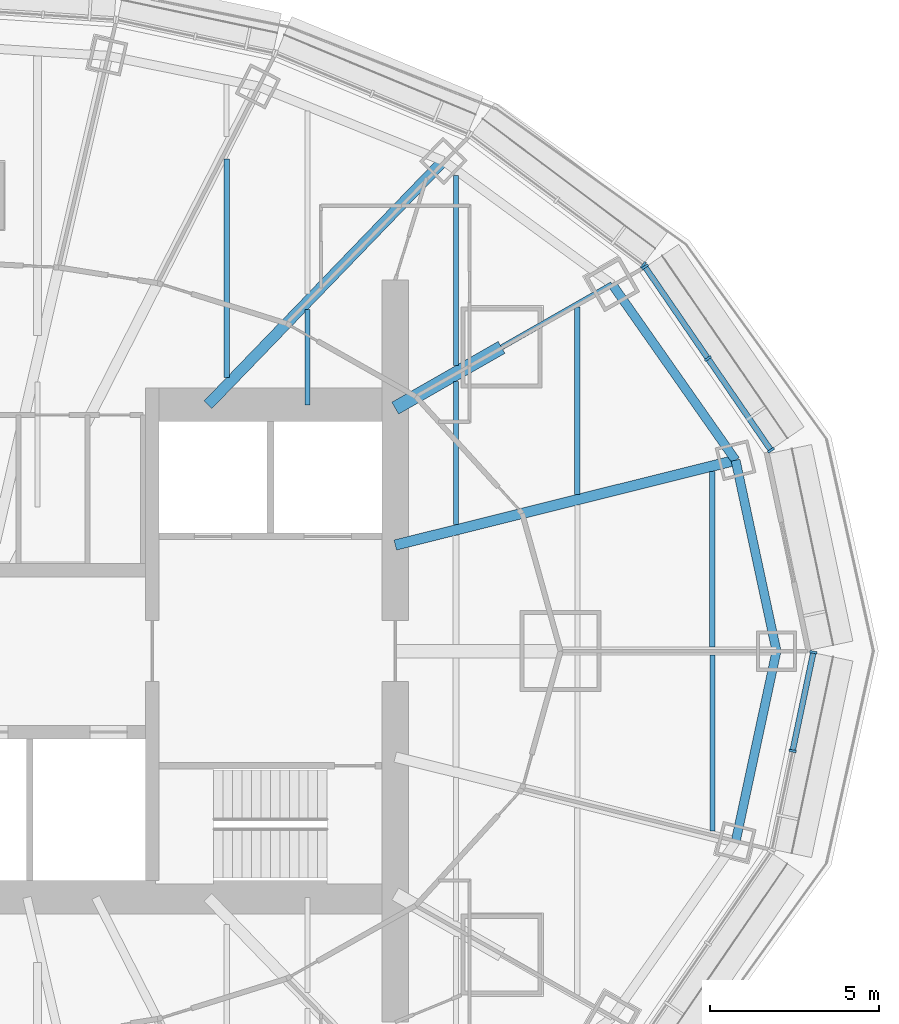
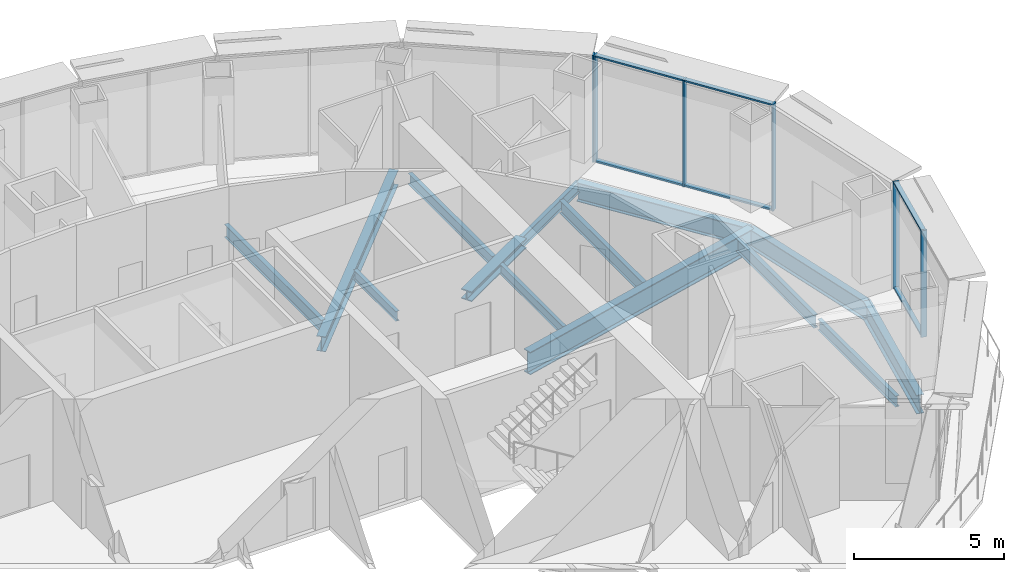
# One storey, part 5 of 17: 14 beams, 12 members, 3 elements without a shape of their own.
"""IFC4 building model written with IfcOpenShell, lengths in metres."""

from ifc_helpers import new_model, si_unit, direction, frame, origin, origin_2d, place, context, subcontext, project, spatial, rectangle, i_section, extrude, material, material_profile, profile_set, type_object, element, aggregate, save


model = new_model("IFC4")

# Units and contexts
model_context = context("Model", 3, precision=1e-05, world=origin(), true_north=direction((0.0, 1.0)))
body_context = subcontext(model_context, "Body", "Model", "MODEL_VIEW")
ifc_project = project(units=[si_unit("LENGTHUNIT", "METRE"), si_unit("AREAUNIT", "SQUARE_METRE"), si_unit("VOLUMEUNIT", "CUBIC_METRE"), si_unit("PLANEANGLEUNIT", "RADIAN"), si_unit("MASSUNIT", "GRAM", prefix="KILO")], contexts=[model_context])

# Site, building, storey
site_placement = place(None, origin())
site = spatial("IfcSite", under=ifc_project, at=site_placement, CompositionType="ELEMENT")
building_placement = place(site_placement, origin())
building = spatial("IfcBuilding", under=site, at=building_placement, Name="Lantaw Convention Tower", CompositionType="ELEMENT")
storey_placement = place(building_placement, frame((0.0, 0.0, 270.39990234375)))
storey = spatial("IfcBuildingStorey", under=building, at=storey_placement, Name="L63", CompositionType="ELEMENT", Elevation=270.39990234375)

# Beams
ifc_material_1 = material(Name="Steel ASTM A992", Category="steel")
ifc_material_profile_1 = material_profile(ifc_material_1, i_section(OverallWidth=0.2666015625, OverallDepth=0.76953125, WebThickness=0.015625, FlangeThickness=0.025390625, FilletRadius=0.0126953125, at=origin_2d()), Name="W30X132")
ifc_profile_set_1 = profile_set([ifc_material_profile_1], Name="Steel ASTM A992")
beam_type_1 = type_object("IfcBeamType", Name="Beam E W30X132", PredefinedType="SPANDREL", material=ifc_profile_set_1)
beam_1_placement = place(storey_placement, frame((23.89990234375, 0.0, -0.53466796875), z_axis=(-0.209658780372, 0.977774614015, 0.0), x_axis=(-0.977774614015, -0.209658780372, 0.0)))
element("IfcBeam", 1, at=beam_1_placement, inside=storey, type_object=beam_type_1, Name="Edge beam 1", PredefinedType="SPANDREL", context=body_context, shape_type="SweptSolid", body=[
    extrude(i_section(OverallWidth=0.2666015625, OverallDepth=0.76953125, WebThickness=0.015625, FlangeThickness=0.025390625, FilletRadius=0.0126953125, at=origin_2d()), origin(), (0.0, 0.0, 1.0), 5.78515625),
])
beam_2_placement = place(storey_placement, frame((22.68701171875, 5.656494140625, -0.53466796875), z_axis=(-0.574400527612, 0.81857439117, 0.0), x_axis=(-0.81857439117, -0.574400527612, 0.0)))
element("IfcBeam", 2, at=beam_2_placement, inside=storey, type_object=beam_type_1, Name="Edge beam 2", PredefinedType="SPANDREL", context=body_context, shape_type="SweptSolid", body=[
    extrude(i_section(OverallWidth=0.2666015625, OverallDepth=0.76953125, WebThickness=0.015625, FlangeThickness=0.025390625, FilletRadius=0.0126953125, at=origin_2d()), origin(), (0.0, 0.0, 1.0), 6.3720703125),
])
beam_3_placement = place(storey_placement, frame((22.68701171875, -5.656494140625, -0.53466796875), z_axis=(0.209658780372, 0.977774614015, 0.0), x_axis=(-0.977774614015, 0.209658780372, 0.0)))
element("IfcBeam", 3, at=beam_3_placement, inside=storey, type_object=beam_type_1, Name="Edge beam 24", PredefinedType="SPANDREL", context=body_context, shape_type="SweptSolid", body=[
    extrude(i_section(OverallWidth=0.2666015625, OverallDepth=0.76953125, WebThickness=0.015625, FlangeThickness=0.025390625, FilletRadius=0.0126953125, at=origin_2d()), origin(), (0.0, 0.0, 1.0), 5.78515625),
])
ifc_material_profile_2 = material_profile(ifc_material_1, i_section(OverallWidth=0.15234375, OverallDepth=0.449462890625, WebThickness=0.007568359375, FlangeThickness=0.0107421875, FilletRadius=0.01025390625, at=origin_2d()), Name="W18X35")
ifc_profile_set_2 = profile_set([ifc_material_profile_2], Name="Steel ASTM A992")
beam_type_2 = type_object("IfcBeamType", Name="Beam G W18X35", PredefinedType="BEAM", material=ifc_profile_set_2)
beam_4_placement = place(storey_placement, frame((15.75, 9.0, -0.374755859375), z_axis=(0.868235180478, 0.496152870978, 0.0), x_axis=(-0.496152870978, 0.868235180478, 0.0)))
element("IfcBeam", 4, at=beam_4_placement, inside=storey, type_object=beam_type_2, Name="Floor girder on ray 3", PredefinedType="BEAM", context=body_context, shape_type="SweptSolid", body=[
    extrude(i_section(OverallWidth=0.15234375, OverallDepth=0.449462890625, WebThickness=0.007568359375, FlangeThickness=0.0107421875, FilletRadius=0.01025390625, at=origin_2d()), origin(), (0.0, 0.0, 1.0), 3.774169921875),
])
ifc_material_profile_3 = material_profile(ifc_material_1, i_section(OverallWidth=0.3251953125, OverallDepth=0.612060546875, WebThickness=0.0126953125, FlangeThickness=0.01904296875, FilletRadius=0.0126953125, at=origin_2d()), Name="W24X104")
ifc_profile_set_3 = profile_set([ifc_material_profile_3], Name="Steel ASTM A992")
beam_type_3 = type_object("IfcBeamType", Name="Beam G W24X104", PredefinedType="BEAM", material=ifc_profile_set_3)
beam_5_placement = place(storey_placement, frame((7.049560546875, 7.300048828125, -0.4560546875), z_axis=(0.694652631285, 0.71934534255, 0.0), x_axis=(-0.71934534255, 0.694652631285, 0.0)))
element("IfcBeam", 5, at=beam_5_placement, inside=storey, type_object=beam_type_3, Name="Floor girder on ray 4", PredefinedType="BEAM", context=body_context, shape_type="SweptSolid", body=[
    extrude(i_section(OverallWidth=0.3251953125, OverallDepth=0.612060546875, WebThickness=0.0126953125, FlangeThickness=0.01904296875, FilletRadius=0.0126953125, at=origin_2d()), origin(), (0.0, 0.0, 1.0), 10.04541015625),
])
ifc_material_profile_4 = material_profile(ifc_material_1, i_section(OverallWidth=0.307373046875, OverallDepth=0.922119140625, WebThickness=0.018310546875, FlangeThickness=0.030029296875, FilletRadius=0.0126953125, at=origin_2d()), Name="W36X182")
ifc_profile_set_4 = profile_set([ifc_material_profile_4], Name="Steel ASTM A992")
beam_type_4 = type_object("IfcBeamType", Name="Beam G W36X182", PredefinedType="BEAM", material=ifc_profile_set_4)
beam_6_placement = place(storey_placement, frame((12.60009765625, 3.1416015625, -0.61083984375), z_axis=(0.97029702597, 0.241916682751, 0.0), x_axis=(-0.241916682751, 0.97029702597, 0.0)))
element("IfcBeam", 6, at=beam_6_placement, inside=storey, type_object=beam_type_4, Name="Floor girder on ray 2", PredefinedType="BEAM", context=body_context, shape_type="SweptSolid", body=[
    extrude(i_section(OverallWidth=0.307373046875, OverallDepth=0.922119140625, WebThickness=0.018310546875, FlangeThickness=0.030029296875, FilletRadius=0.0126953125, at=origin_2d()), origin(), (0.0, 0.0, 1.0), 10.395751953125),
])
ifc_material_profile_5 = material_profile(ifc_material_1, i_section(OverallWidth=0.40380859375, OverallDepth=0.406494140625, WebThickness=0.027099609375, FlangeThickness=0.043701171875, FilletRadius=0.01513671875, at=origin_2d()), Name="W14X233")
ifc_profile_set_5 = profile_set([ifc_material_profile_5], Name="Steel ASTM A992")
beam_type_5 = type_object("IfcBeamType", Name="Beam GM W14X233", PredefinedType="BEAM", material=ifc_profile_set_5)
beam_7_placement = place(storey_placement, frame((12.60009765625, 7.199951171875, -0.35302734375), z_axis=(0.868230718294, 0.496160679428, 0.0), x_axis=(-0.496160679428, 0.868230718294, 0.0)))
element("IfcBeam", 7, at=beam_7_placement, inside=storey, type_object=beam_type_5, Name="Core link beam on ray 3", PredefinedType="BEAM", context=body_context, shape_type="SweptSolid", body=[
    extrude(i_section(OverallWidth=0.40380859375, OverallDepth=0.406494140625, WebThickness=0.027099609375, FlangeThickness=0.043701171875, FilletRadius=0.01513671875, at=origin_2d()), origin(), (0.0, 0.0, 1.0), 3.6279296875),
])
ifc_material_profile_6 = material_profile(ifc_material_1, i_section(OverallWidth=0.140380859375, OverallDepth=0.40380859375, WebThickness=0.007080078125, FlangeThickness=0.01123046875, FilletRadius=0.01025390625, at=origin_2d()), Name="W16X31")
ifc_profile_set_6 = profile_set([ifc_material_profile_6], Name="Steel ASTM A992")
beam_type_6 = type_object("IfcBeamType", Name="Beam J W16X31", PredefinedType="JOIST", material=ifc_profile_set_6)
beam_8_placement = place(storey_placement, frame((10.0, 7.300048828125, -0.351806640625), z_axis=(0.0, 1.0, 0.0), x_axis=(-1.0, 0.0, 0.0)))
element("IfcBeam", 8, at=beam_8_placement, inside=storey, type_object=beam_type_6, Name="Floor joist", PredefinedType="JOIST", context=body_context, shape_type="SweptSolid", body=[
    extrude(i_section(OverallWidth=0.140380859375, OverallDepth=0.40380859375, WebThickness=0.007080078125, FlangeThickness=0.01123046875, FilletRadius=0.01025390625, at=origin_2d()), origin(), (0.0, 0.0, 1.0), 2.8212890625),
])
beam_9_placement = place(storey_placement, frame((14.39990234375, 3.748779296875, -0.351806640625), z_axis=(0.0, 1.0, 0.0), x_axis=(-1.0, 0.0, 0.0)))
element("IfcBeam", 9, at=beam_9_placement, inside=storey, type_object=beam_type_6, Name="Floor joist", PredefinedType="JOIST", context=body_context, shape_type="SweptSolid", body=[
    extrude(i_section(OverallWidth=0.140380859375, OverallDepth=0.40380859375, WebThickness=0.007080078125, FlangeThickness=0.01123046875, FilletRadius=0.01025390625, at=origin_2d()), origin(), (0.0, 0.0, 1.0), 4.247314453125),
])
ifc_material_profile_7 = material_profile(ifc_material_1, i_section(OverallWidth=0.15234375, OverallDepth=0.449462890625, WebThickness=0.007568359375, FlangeThickness=0.0107421875, FilletRadius=0.01025390625, at=origin_2d()), Name="W18X35")
ifc_profile_set_7 = profile_set([ifc_material_profile_7], Name="Steel ASTM A992")
beam_type_7 = type_object("IfcBeamType", Name="Beam J W18X35", PredefinedType="JOIST", material=ifc_profile_set_7)
beam_10_placement = place(storey_placement, frame((14.39990234375, 8.461181640625, -0.374755859375), z_axis=(0.0, 1.0, 0.0), x_axis=(-1.0, 0.0, 0.0)))
element("IfcBeam", 10, at=beam_10_placement, inside=storey, type_object=beam_type_7, Name="Floor joist", PredefinedType="JOIST", context=body_context, shape_type="SweptSolid", body=[
    extrude(i_section(OverallWidth=0.15234375, OverallDepth=0.449462890625, WebThickness=0.007568359375, FlangeThickness=0.0107421875, FilletRadius=0.01025390625, at=origin_2d()), origin(), (0.0, 0.0, 1.0), 5.627685546875),
])
beam_11_placement = place(storey_placement, frame((22.0, -5.326904296875, -0.374755859375), z_axis=(0.0, 1.0, 0.0), x_axis=(-1.0, 0.0, 0.0)))
element("IfcBeam", 11, at=beam_11_placement, inside=storey, type_object=beam_type_7, Name="Floor joist", PredefinedType="JOIST", context=body_context, shape_type="SweptSolid", body=[
    extrude(i_section(OverallWidth=0.15234375, OverallDepth=0.449462890625, WebThickness=0.007568359375, FlangeThickness=0.0107421875, FilletRadius=0.01025390625, at=origin_2d()), origin(), (0.0, 0.0, 1.0), 5.21240234375),
])
ifc_material_profile_8 = material_profile(ifc_material_1, i_section(OverallWidth=0.1650390625, OverallDepth=0.52587890625, WebThickness=0.0087890625, FlangeThickness=0.011474609375, FilletRadius=0.0126953125, at=origin_2d()), Name="W21X44")
ifc_profile_set_8 = profile_set([ifc_material_profile_8], Name="Steel ASTM A992")
beam_type_8 = type_object("IfcBeamType", Name="Beam J W21X44", PredefinedType="JOIST", material=ifc_profile_set_8)
beam_12_placement = place(storey_placement, frame((7.60009765625, 8.10400390625, -0.412841796875), z_axis=(0.0, 1.0, 0.0), x_axis=(-1.0, 0.0, 0.0)))
element("IfcBeam", 12, at=beam_12_placement, inside=storey, type_object=beam_type_8, Name="Floor joist", PredefinedType="JOIST", context=body_context, shape_type="SweptSolid", body=[
    extrude(i_section(OverallWidth=0.1650390625, OverallDepth=0.52587890625, WebThickness=0.0087890625, FlangeThickness=0.011474609375, FilletRadius=0.0126953125, at=origin_2d()), origin(), (0.0, 0.0, 1.0), 6.473388671875),
])
beam_13_placement = place(storey_placement, frame((22.0, 0.114501953125, -0.412841796875), z_axis=(0.0, 1.0, 0.0), x_axis=(-1.0, 0.0, 0.0)))
element("IfcBeam", 13, at=beam_13_placement, inside=storey, type_object=beam_type_8, Name="Floor joist", PredefinedType="JOIST", context=body_context, shape_type="SweptSolid", body=[
    extrude(i_section(OverallWidth=0.1650390625, OverallDepth=0.52587890625, WebThickness=0.0087890625, FlangeThickness=0.011474609375, FilletRadius=0.0126953125, at=origin_2d()), origin(), (0.0, 0.0, 1.0), 5.21240234375),
])
ifc_material_profile_9 = material_profile(ifc_material_1, i_section(OverallWidth=0.165771484375, OverallDepth=0.5283203125, WebThickness=0.009765625, FlangeThickness=0.013671875, FilletRadius=0.012939453125, at=origin_2d()), Name="W21X50")
ifc_profile_set_9 = profile_set([ifc_material_profile_9], Name="Steel ASTM A992")
beam_type_9 = type_object("IfcBeamType", Name="Beam J W21X50", PredefinedType="JOIST", material=ifc_profile_set_9)
beam_14_placement = place(storey_placement, frame((18.0, 4.646240234375, -0.4140625), z_axis=(0.0, 1.0, 0.0), x_axis=(-1.0, 0.0, 0.0)))
element("IfcBeam", 14, at=beam_14_placement, inside=storey, type_object=beam_type_9, Name="Floor joist", PredefinedType="JOIST", context=body_context, shape_type="SweptSolid", body=[
    extrude(i_section(OverallWidth=0.165771484375, OverallDepth=0.5283203125, WebThickness=0.009765625, FlangeThickness=0.013671875, FilletRadius=0.012939453125, at=origin_2d()), origin(), (0.0, 0.0, 1.0), 5.5517578125),
])

# Curtain wall, members
ifc_material_2 = material(Name="Aluminium framed curtain wall", Category="aluminium")
curtain_wall_type = type_object("IfcCurtainWallType", Name="Executive floors curtain wall, pale aluminium", PredefinedType="USERDEFINED", material=ifc_material_2)
curtain_wall_1_placement = place(storey_placement, origin())
curtain_wall_1 = element("IfcCurtainWall", 15, at=curtain_wall_1_placement, inside=storey, type_object=curtain_wall_type, Name="Executive floors curtain wall, pale aluminium L63", ObjectType="UNITISED CURTAIN WALL", PredefinedType="USERDEFINED")
ifc_material_3 = material(Name="Aluminium 6063-T6", Category="aluminium")
ifc_material_profile_10 = material_profile(ifc_material_3, rectangle(XDim=0.219970703125, YDim=0.070068359375, at=origin_2d()), Name="CW-T mullion 70x220")
ifc_profile_set_10 = profile_set([ifc_material_profile_10], Name="Aluminium 6063-T6")
member_type_1 = type_object("IfcMemberType", Name="CW-T mullion 70x220", PredefinedType="MULLION", material=ifc_profile_set_10)
member_1_placement = place(storey_placement, frame((23.734619140625, 5.951416015625, 0.0), z_axis=(0.0, 0.0, 1.0), x_axis=(-0.824449977189, -0.565934832921, 0.0)))
member_1 = element("IfcMember", 16, at=member_1_placement, type_object=member_type_1, Name="CW-T mullion 1", PredefinedType="MULLION", context=body_context, shape_type="SweptSolid", body=[
    extrude(rectangle(XDim=0.219970703125, YDim=0.070068359375, at=origin_2d()), origin(), (0.0, 0.0, 1.0), 4.35009765625),
])
member_2_placement = place(storey_placement, frame((21.8681640625, 8.67041015625, 0.0), z_axis=(0.0, 0.0, 1.0), x_axis=(-0.824449977189, -0.565934832921, 0.0)))
member_2 = element("IfcMember", 17, at=member_2_placement, type_object=member_type_1, Name="CW-T mullion 2", PredefinedType="MULLION", context=body_context, shape_type="SweptSolid", body=[
    extrude(rectangle(XDim=0.219970703125, YDim=0.070068359375, at=origin_2d()), origin(), (0.0, 0.0, 1.0), 4.35009765625),
])
member_3_placement = place(storey_placement, frame((20.001708984375, 11.389404296875, 0.0), z_axis=(0.0, 0.0, 1.0), x_axis=(-0.824449977189, -0.565934832921, 0.0)))
member_3 = element("IfcMember", 18, at=member_3_placement, type_object=member_type_1, Name="CW-T mullion 3", PredefinedType="MULLION", context=body_context, shape_type="SweptSolid", body=[
    extrude(rectangle(XDim=0.219970703125, YDim=0.070068359375, at=origin_2d()), origin(), (0.0, 0.0, 1.0), 4.35009765625),
])

# Curtain wall, member
curtain_wall_2_placement = place(storey_placement, origin())
curtain_wall_2 = element("IfcCurtainWall", 19, at=curtain_wall_2_placement, inside=storey, type_object=curtain_wall_type, Name="Executive floors curtain wall, pale aluminium L63", ObjectType="UNITISED CURTAIN WALL", PredefinedType="USERDEFINED")
member_4_placement = place(storey_placement, frame((19.953857421875, 11.439208984375, 0.0), z_axis=(0.0, 0.0, 1.0), x_axis=(-0.600642756762, -0.799517528732, 0.0)))
member_4 = element("IfcMember", 20, at=member_4_placement, type_object=member_type_1, Name="CW-T mullion 1", PredefinedType="MULLION", context=body_context, shape_type="SweptSolid", body=[
    extrude(rectangle(XDim=0.219970703125, YDim=0.070068359375, at=origin_2d()), origin(), (0.0, 0.0, 1.0), 4.35009765625),
])
aggregate(curtain_wall_2, [member_4])

# Curtain wall, members
curtain_wall_3_placement = place(storey_placement, origin())
curtain_wall_3 = element("IfcCurtainWall", 21, at=curtain_wall_3_placement, inside=storey, type_object=curtain_wall_type, Name="Executive floors curtain wall, pale aluminium L63", ObjectType="UNITISED CURTAIN WALL", PredefinedType="USERDEFINED")
member_5_placement = place(storey_placement, frame((24.377197265625, -2.96142578125, 0.0), z_axis=(0.0, 0.0, 1.0), x_axis=(-0.978591117263, 0.205814054946, 0.0)))
member_5 = element("IfcMember", 22, at=member_5_placement, type_object=member_type_1, Name="CW-T mullion 2", PredefinedType="MULLION", context=body_context, shape_type="SweptSolid", body=[
    extrude(rectangle(XDim=0.219970703125, YDim=0.070068359375, at=origin_2d()), origin(), (0.0, 0.0, 1.0), 4.35009765625),
])
member_6_placement = place(storey_placement, frame((24.99267578125, -0.0341796875, 0.0), z_axis=(0.0, 0.0, 1.0), x_axis=(-0.978591117263, 0.205814054946, 0.0)))
member_6 = element("IfcMember", 23, at=member_6_placement, type_object=member_type_1, Name="CW-T mullion 3", PredefinedType="MULLION", context=body_context, shape_type="SweptSolid", body=[
    extrude(rectangle(XDim=0.219970703125, YDim=0.070068359375, at=origin_2d()), origin(), (0.0, 0.0, 1.0), 4.35009765625),
])

# Member
ifc_material_profile_11 = material_profile(ifc_material_3, rectangle(XDim=0.169921875, YDim=0.070068359375, at=origin_2d()), Name="CW-T transom 70x170")
ifc_profile_set_11 = profile_set([ifc_material_profile_11], Name="Aluminium 6063-T6")
member_type_2 = type_object("IfcMemberType", Name="CW-T transom 70x170", PredefinedType="USERDEFINED", material=ifc_profile_set_11)
member_7_placement = place(storey_placement, frame((23.71484375, 5.980224609375, 0.03515625), z_axis=(-0.56594129057, 0.824445544368, 0.0), x_axis=(-0.824445544368, -0.56594129057, 0.0)))
member_7 = element("IfcMember", 24, at=member_7_placement, type_object=member_type_2, Name="CW-T transom 1.1", ObjectType="TRANSOM", PredefinedType="USERDEFINED", context=body_context, shape_type="SweptSolid", body=[
    extrude(rectangle(XDim=0.169921875, YDim=0.070068359375, at=origin_2d()), origin(), (0.0, 0.0, 1.0), 3.22802734375),
])

member_8_placement = place(storey_placement, frame((23.71484375, 5.980224609375, 4.315185546875), z_axis=(-0.56594129057, 0.824445544368, 0.0), x_axis=(-0.824445544368, -0.56594129057, 0.0)))
member_8 = element("IfcMember", 25, at=member_8_placement, type_object=member_type_2, Name="CW-T transom 1.2", ObjectType="TRANSOM", PredefinedType="USERDEFINED", context=body_context, shape_type="SweptSolid", body=[
    extrude(rectangle(XDim=0.169921875, YDim=0.070068359375, at=origin_2d()), origin(), (0.0, 0.0, 1.0), 3.22802734375),
])

member_9_placement = place(storey_placement, frame((21.848388671875, 8.69921875, 0.03515625), z_axis=(-0.56594129057, 0.824445544368, 0.0), x_axis=(-0.824445544368, -0.56594129057, 0.0)))
member_9 = element("IfcMember", 26, at=member_9_placement, type_object=member_type_2, Name="CW-T transom 2.1", ObjectType="TRANSOM", PredefinedType="USERDEFINED", context=body_context, shape_type="SweptSolid", body=[
    extrude(rectangle(XDim=0.169921875, YDim=0.070068359375, at=origin_2d()), origin(), (0.0, 0.0, 1.0), 3.22802734375),
])

member_10_placement = place(storey_placement, frame((21.848388671875, 8.69921875, 4.315185546875), z_axis=(-0.56594129057, 0.824445544368, 0.0), x_axis=(-0.824445544368, -0.56594129057, 0.0)))
member_10 = element("IfcMember", 27, at=member_10_placement, type_object=member_type_2, Name="CW-T transom 2.2", ObjectType="TRANSOM", PredefinedType="USERDEFINED", context=body_context, shape_type="SweptSolid", body=[
    extrude(rectangle(XDim=0.169921875, YDim=0.070068359375, at=origin_2d()), origin(), (0.0, 0.0, 1.0), 3.22802734375),
])

aggregate(curtain_wall_1, [member_1, member_2, member_3, member_7, member_8, member_9, member_10])

member_11_placement = place(storey_placement, frame((24.38427734375, -2.927001953125, 0.03515625), z_axis=(0.205863045856, 0.978580812376, 0.0), x_axis=(-0.978580812376, 0.205863045856, 0.0)))
member_11 = element("IfcMember", 28, at=member_11_placement, type_object=member_type_2, Name="CW-T transom 2.1", ObjectType="TRANSOM", PredefinedType="USERDEFINED", context=body_context, shape_type="SweptSolid", body=[
    extrude(rectangle(XDim=0.169921875, YDim=0.070068359375, at=origin_2d()), origin(), (0.0, 0.0, 1.0), 2.9208984375),
])

member_12_placement = place(storey_placement, frame((24.38427734375, -2.927001953125, 4.315185546875), z_axis=(0.205863045856, 0.978580812376, 0.0), x_axis=(-0.978580812376, 0.205863045856, 0.0)))
member_12 = element("IfcMember", 29, at=member_12_placement, type_object=member_type_2, Name="CW-T transom 2.2", ObjectType="TRANSOM", PredefinedType="USERDEFINED", context=body_context, shape_type="SweptSolid", body=[
    extrude(rectangle(XDim=0.169921875, YDim=0.070068359375, at=origin_2d()), origin(), (0.0, 0.0, 1.0), 2.9208984375),
])

aggregate(curtain_wall_3, [member_5, member_6, member_11, member_12])

save(model, "model.ifc")
